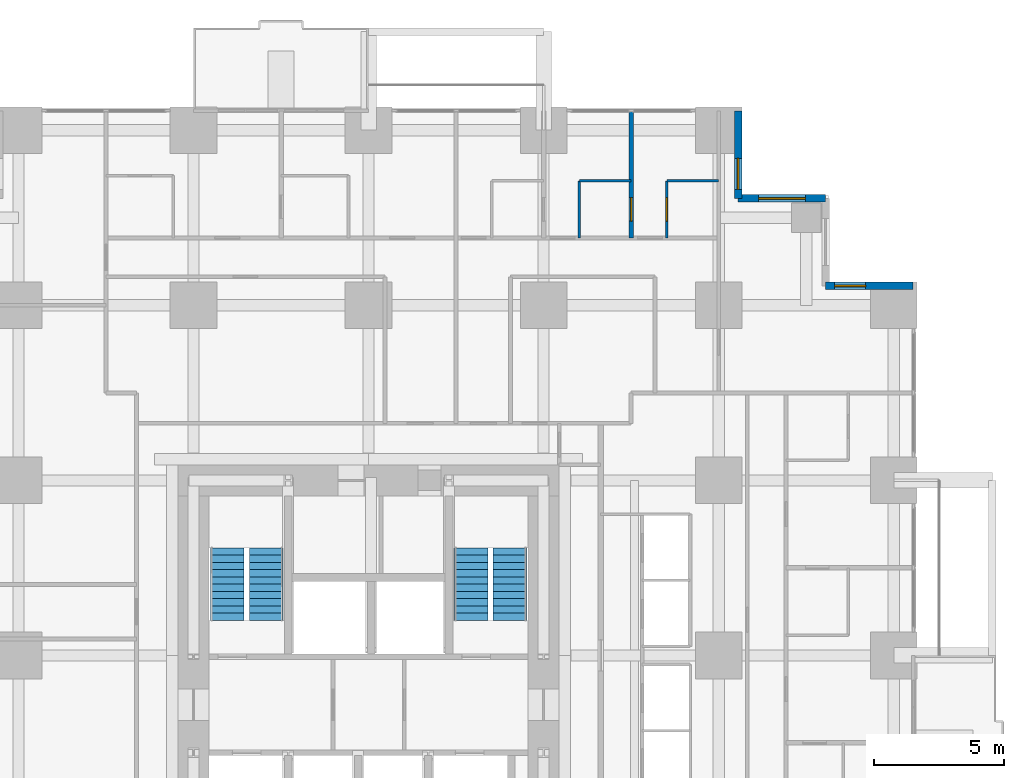
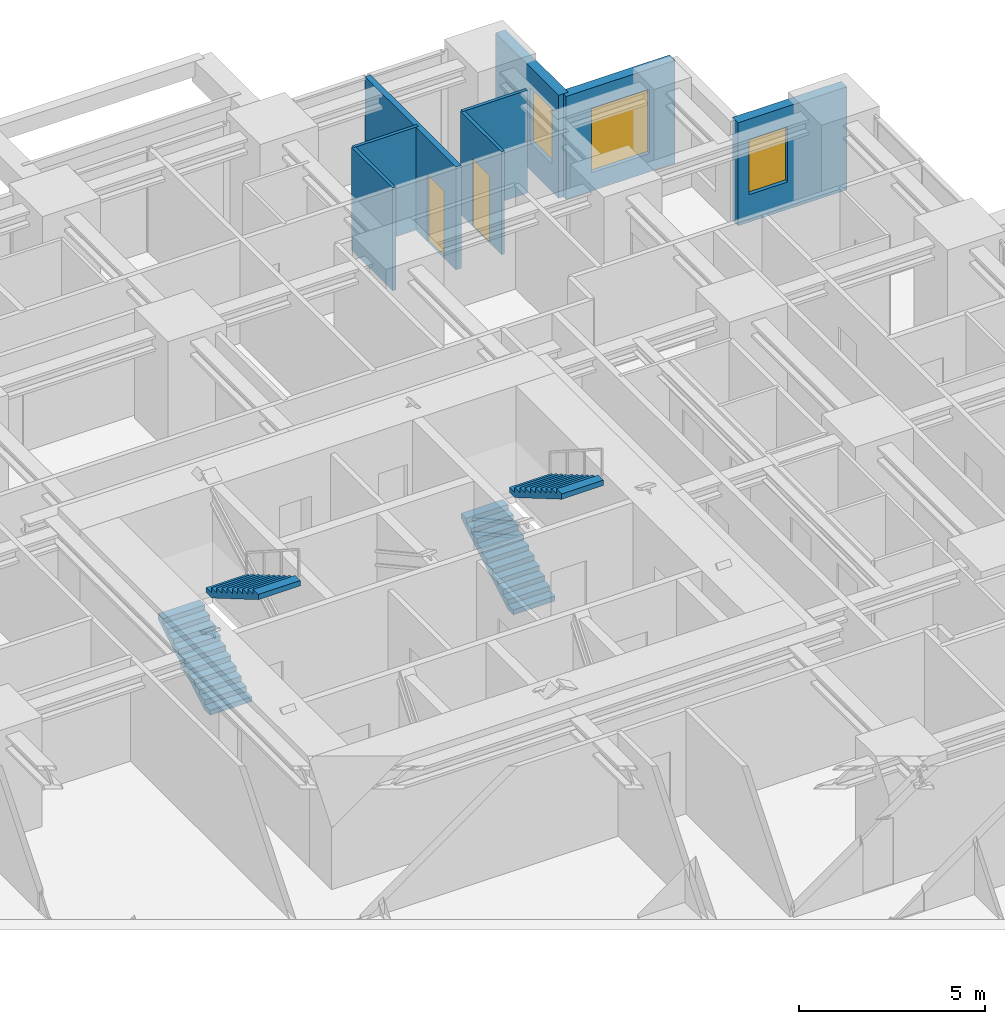
# One storey, part 13 of 14: 8 walls, 4 stair flights, 3 windows, 2 doors, 5 openings, 2 elements without a shape of their own.
"""IFC4 building model written with IfcOpenShell, lengths in metres."""

from ifc_helpers import new_model, si_unit, direction, frame, frame_2d, origin, place, context, subcontext, project, spatial, polyline, rectangle, outline, extrude, material, layer, layer_set, type_object, element, fill, aggregate, save


model = new_model("IFC4")

# Units and contexts
model_context = context("Model", 3, precision=1e-05, world=origin(), true_north=direction((0.0, 1.0)))
body_context = subcontext(model_context, "Body", "Model", "MODEL_VIEW")
ifc_project = project(units=[si_unit("LENGTHUNIT", "METRE"), si_unit("AREAUNIT", "SQUARE_METRE"), si_unit("VOLUMEUNIT", "CUBIC_METRE"), si_unit("PLANEANGLEUNIT", "RADIAN"), si_unit("MASSUNIT", "GRAM", prefix="KILO")], contexts=[model_context])

# Site, building, storey
site_placement = place(None, origin())
site = spatial("IfcSite", under=ifc_project, at=site_placement, CompositionType="ELEMENT")
building_placement = place(site_placement, origin())
building = spatial("IfcBuilding", under=site, at=building_placement, Name="Nyansa Garden Tower", CompositionType="ELEMENT")
storey_placement = place(building_placement, frame((0.0, 0.0, 54.0)))
storey = spatial("IfcBuildingStorey", under=building, at=storey_placement, Name="L14", CompositionType="ELEMENT", Elevation=54.0)

# Wall, opening, door
ifc_material_1 = material(Name="Dense blockwork, plastered both sides, 55 dB", Category="masonry")
ifc_layer_1 = layer(ifc_material_1, 0.175048828125)
ifc_layer_set_1 = layer_set([ifc_layer_1], Name="Acoustic party wall PW175")
wall_type_1 = type_object("IfcWallType", Name="Acoustic party wall PW175", PredefinedType="PARTITIONING", material=ifc_layer_set_1)
wall_1_placement = place(storey_placement, frame((30.375, 36.35009765625, 0.0), z_axis=(0.0, 0.0, 1.0), x_axis=(0.0, 1.0, 0.0)))
wall_1 = element("IfcWall", 1, at=wall_1_placement, inside=storey, type_object=wall_type_1, Name="Party wall", PredefinedType="PARTITIONING", context=body_context, shape_type="SweptSolid", body=[
    extrude(rectangle(XDim=4.8837890625, YDim=0.175048828125, at=frame_2d((2.44189453125, 0.0))), origin(), (0.0, 0.0, 1.0), 3.375),
])
opening_1_placement = place(wall_1_placement, frame((0.64990234375, 0.0, 0.0)))
opening_1 = element("IfcOpeningElement", 2, at=opening_1_placement, cuts=wall_1, Name="Opening D02", PredefinedType="OPENING", context=body_context, shape_type="SweptSolid", body=[
    extrude(rectangle(XDim=0.89990234375, YDim=2.199951171875, at=frame_2d((0.449951171875, 1.10009765625))), frame((0.0, 0.097412109375, 0.0), z_axis=(0.0, -1.0, 0.0), x_axis=(1.0, 0.0, 0.0)), (0.0, 0.0, 1.0), 0.195068359375),
])
ifc_material_2 = material(Name="Timber flush door", Category="wood")
door_type = type_object("IfcDoorType", Name="En-suite door D02 900x2200", OperationType="SINGLE_SWING_RIGHT", PredefinedType="DOOR", material=ifc_material_2)
door_1_placement = place(opening_1_placement, origin())
door_1 = element("IfcDoor", 3, at=door_1_placement, inside=storey, type_object=door_type, Name="Door L14-046", OperationType="SINGLE_SWING_RIGHT", OverallHeight=2.199951171875, OverallWidth=0.89990234375, PredefinedType="DOOR", context=body_context, shape_type="SweptSolid", body=[
    extrude(rectangle(XDim=0.89990234375, YDim=2.199951171875, at=frame_2d((0.449951171875, 1.10009765625))), frame((0.0, 0.02490234375, 0.0), z_axis=(0.0, -1.0, 0.0), x_axis=(1.0, 0.0, 0.0)), (0.0, 0.0, 1.0), 0.050048828125),
])
fill(opening_1, door_1)

# Wall, opening, window
ifc_material_3 = material(Name="Turquoise glazed tile on concrete blockwork", Category="masonry")
ifc_layer_2 = layer(ifc_material_3, 0.300048828125)
ifc_layer_set_2 = layer_set([ifc_layer_2], Name="Tiled corner wall TW300")
wall_type_2 = type_object("IfcWallType", Name="Tiled corner wall TW300", PredefinedType="SOLIDWALL", material=ifc_layer_set_2)
wall_2_placement = place(storey_placement, frame((41.25, 34.5, 0.0), z_axis=(0.0, 0.0, 1.0), x_axis=(-1.0, 0.0, 0.0)))
wall_2 = element("IfcWall", 4, at=wall_2_placement, inside=storey, type_object=wall_type_2, Name="Tiled corner wall L14", PredefinedType="SOLIDWALL", context=body_context, shape_type="SweptSolid", body=[
    extrude(rectangle(XDim=3.375, YDim=0.300048828125, at=frame_2d((1.6875, 0.0))), origin(), (0.0, 0.0, 1.0), 3.375),
])
opening_2_placement = place(wall_2_placement, frame((1.83251953125, 0.0, 0.89990234375)))
opening_2 = element("IfcOpeningElement", 5, at=opening_2_placement, cuts=wall_2, Name="Opening W4", PredefinedType="OPENING", context=body_context, shape_type="SweptSolid", body=[
    extrude(rectangle(XDim=1.199951171875, YDim=1.800048828125, at=frame_2d((0.60009765625, 0.89990234375))), frame((0.0, 0.159912109375, 0.0), z_axis=(0.0, -1.0, 0.0), x_axis=(1.0, 0.0, 0.0)), (0.0, 0.0, 1.0), 0.320068359375),
])
ifc_material_4 = material(Name="Black aluminium frame, dark tinted double glazing", Category="aluminium")
window_type_1 = type_object("IfcWindowType", Name="Window W4 1200x1800", PartitioningType="SINGLE_PANEL", PredefinedType="WINDOW", material=ifc_material_4)
window_1_placement = place(opening_2_placement, origin())
window_1 = element("IfcWindow", 6, at=window_1_placement, inside=storey, type_object=window_type_1, Name="Corner window L14", OverallHeight=1.800048828125, OverallWidth=1.199951171875, PartitioningType="SINGLE_PANEL", PredefinedType="WINDOW", context=body_context, shape_type="SweptSolid", body=[
    extrude(rectangle(XDim=1.199951171875, YDim=1.800048828125, at=frame_2d((0.60009765625, 0.89990234375))), frame((0.0, 0.030029296875, 0.0), z_axis=(0.0, -1.0, 0.0), x_axis=(1.0, 0.0, 0.0)), (0.0, 0.0, 1.0), 0.06005859375),
])
fill(opening_2, window_1)

wall_3_placement = place(storey_placement, frame((37.875, 37.875, 0.0), z_axis=(0.0, 0.0, 1.0), x_axis=(-1.0, 0.0, 0.0)))
wall_3 = element("IfcWall", 7, at=wall_3_placement, inside=storey, type_object=wall_type_2, Name="Tiled corner wall L14", PredefinedType="SOLIDWALL", context=body_context, shape_type="SweptSolid", body=[
    extrude(rectangle(XDim=3.375, YDim=0.300048828125, at=frame_2d((1.6875, 0.0))), origin(), (0.0, 0.0, 1.0), 3.375),
])
opening_3_placement = place(wall_3_placement, frame((0.78759765625, 0.0, 0.60009765625)))
opening_3 = element("IfcOpeningElement", 8, at=opening_3_placement, cuts=wall_3, Name="Opening W2", PredefinedType="OPENING", context=body_context, shape_type="SweptSolid", body=[
    extrude(rectangle(XDim=1.800048828125, YDim=2.10009765625, at=frame_2d((0.89990234375, 1.050048828125))), frame((0.0, 0.159912109375, 0.0), z_axis=(0.0, -1.0, 0.0), x_axis=(1.0, 0.0, 0.0)), (0.0, 0.0, 1.0), 0.320068359375),
])
ifc_material_5 = material(Name="Black aluminium frame, dark tinted double glazing", Category="aluminium")
window_type_2 = type_object("IfcWindowType", Name="Window W2 1800x2100", PartitioningType="SINGLE_PANEL", PredefinedType="WINDOW", material=ifc_material_5)
window_2_placement = place(opening_3_placement, origin())
window_2 = element("IfcWindow", 9, at=window_2_placement, inside=storey, type_object=window_type_2, Name="Corner window L14", OverallHeight=2.10009765625, OverallWidth=1.800048828125, PartitioningType="SINGLE_PANEL", PredefinedType="WINDOW", context=body_context, shape_type="SweptSolid", body=[
    extrude(rectangle(XDim=1.800048828125, YDim=2.10009765625, at=frame_2d((0.89990234375, 1.050048828125))), frame((0.0, 0.030029296875, 0.0), z_axis=(0.0, -1.0, 0.0), x_axis=(1.0, 0.0, 0.0)), (0.0, 0.0, 1.0), 0.06005859375),
])
fill(opening_3, window_2)

wall_4_placement = place(storey_placement, frame((34.5, 37.875, 0.0), z_axis=(0.0, 0.0, 1.0), x_axis=(0.0, 1.0, 0.0)))
wall_4 = element("IfcWall", 10, at=wall_4_placement, inside=storey, type_object=wall_type_2, Name="Tiled corner wall L14", PredefinedType="SOLIDWALL", context=body_context, shape_type="SweptSolid", body=[
    extrude(rectangle(XDim=3.375, YDim=0.300048828125, at=frame_2d((1.6875, 0.0))), origin(), (0.0, 0.0, 1.0), 3.375),
])
opening_4_placement = place(wall_4_placement, frame((0.342529296875, 0.0, 0.89990234375)))
opening_4 = element("IfcOpeningElement", 11, at=opening_4_placement, cuts=wall_4, Name="Opening W4", PredefinedType="OPENING", context=body_context, shape_type="SweptSolid", body=[
    extrude(rectangle(XDim=1.199951171875, YDim=1.800048828125, at=frame_2d((0.60009765625, 0.89990234375))), frame((0.0, 0.159912109375, 0.0), z_axis=(0.0, -1.0, 0.0), x_axis=(1.0, 0.0, 0.0)), (0.0, 0.0, 1.0), 0.320068359375),
])
window_3_placement = place(opening_4_placement, origin())
window_3 = element("IfcWindow", 12, at=window_3_placement, inside=storey, type_object=window_type_1, Name="Corner window L14", OverallHeight=1.800048828125, OverallWidth=1.199951171875, PartitioningType="SINGLE_PANEL", PredefinedType="WINDOW", context=body_context, shape_type="SweptSolid", body=[
    extrude(rectangle(XDim=1.199951171875, YDim=1.800048828125, at=frame_2d((0.60009765625, 0.89990234375))), frame((0.0, 0.030029296875, 0.0), z_axis=(0.0, -1.0, 0.0), x_axis=(1.0, 0.0, 0.0)), (0.0, 0.0, 1.0), 0.06005859375),
])
fill(opening_4, window_3)

# Walls
ifc_material_6 = material(Name="Moisture resistant board on steel studs, tiled", Category="steel")
ifc_layer_3 = layer(ifc_material_6, 0.10009765625)
ifc_layer_set_3 = layer_set([ifc_layer_3], Name="Wet wall PW100")
wall_type_3 = type_object("IfcWallType", Name="Wet wall PW100", PredefinedType="PARTITIONING", material=ifc_layer_set_3)
wall_5_placement = place(storey_placement, frame((28.375, 36.35009765625, 0.0), z_axis=(0.0, 0.0, 1.0), x_axis=(0.0, 1.0, 0.0)))
element("IfcWall", 13, at=wall_5_placement, inside=storey, type_object=wall_type_3, Name="Wet wall", PredefinedType="PARTITIONING", context=body_context, shape_type="SweptSolid", body=[
    extrude(rectangle(XDim=2.199951171875, YDim=0.10009765625, at=frame_2d((1.10009765625, 0.0))), origin(), (0.0, 0.0, 1.0), 3.375),
])
wall_6_placement = place(storey_placement, frame((28.375, 38.550048828125, 0.0), z_axis=(0.0, 0.0, 1.0), x_axis=(1.0, 0.0, 0.0)))
element("IfcWall", 14, at=wall_6_placement, inside=storey, type_object=wall_type_3, Name="Wet wall", PredefinedType="PARTITIONING", context=body_context, shape_type="SweptSolid", body=[
    extrude(rectangle(XDim=2.0, YDim=0.10009765625, at=frame_2d((1.0, 0.0))), origin(), (0.0, 0.0, 1.0), 3.375),
])

# Wall, opening, door
wall_7_placement = place(storey_placement, frame((31.75, 36.35009765625, 0.0), z_axis=(0.0, 0.0, 1.0), x_axis=(0.0, 1.0, 0.0)))
wall_7 = element("IfcWall", 15, at=wall_7_placement, inside=storey, type_object=wall_type_3, Name="Wet wall", PredefinedType="PARTITIONING", context=body_context, shape_type="SweptSolid", body=[
    extrude(rectangle(XDim=2.199951171875, YDim=0.10009765625, at=frame_2d((1.10009765625, 0.0))), origin(), (0.0, 0.0, 1.0), 3.375),
])
opening_5_placement = place(wall_7_placement, frame((0.64990234375, 0.0, 0.0)))
opening_5 = element("IfcOpeningElement", 16, at=opening_5_placement, cuts=wall_7, Name="Opening D02", PredefinedType="OPENING", context=body_context, shape_type="SweptSolid", body=[
    extrude(rectangle(XDim=0.89990234375, YDim=2.199951171875, at=frame_2d((0.449951171875, 1.10009765625))), frame((0.0, 0.06005859375, 0.0), z_axis=(0.0, -1.0, 0.0), x_axis=(1.0, 0.0, 0.0)), (0.0, 0.0, 1.0), 0.1201171875),
])
door_2_placement = place(opening_5_placement, origin())
door_2 = element("IfcDoor", 17, at=door_2_placement, inside=storey, type_object=door_type, Name="Door L14-044", OperationType="SINGLE_SWING_RIGHT", OverallHeight=2.199951171875, OverallWidth=0.89990234375, PredefinedType="DOOR", context=body_context, shape_type="SweptSolid", body=[
    extrude(rectangle(XDim=0.89990234375, YDim=2.199951171875, at=frame_2d((0.449951171875, 1.10009765625))), frame((0.0, 0.02490234375, 0.0), z_axis=(0.0, -1.0, 0.0), x_axis=(1.0, 0.0, 0.0)), (0.0, 0.0, 1.0), 0.050048828125),
])
fill(opening_5, door_2)

# Wall
wall_8_placement = place(storey_placement, frame((31.75, 38.550048828125, 0.0), z_axis=(0.0, 0.0, 1.0), x_axis=(1.0, 0.0, 0.0)))
element("IfcWall", 18, at=wall_8_placement, inside=storey, type_object=wall_type_3, Name="Wet wall", PredefinedType="PARTITIONING", context=body_context, shape_type="SweptSolid", body=[
    extrude(rectangle(XDim=2.0, YDim=0.10009765625, at=frame_2d((1.0, 0.0))), origin(), (0.0, 0.0, 1.0), 3.375),
])

# Stair, stair flights
ifc_material_7 = material(Name="Precast concrete C40/50", Category="concrete")
stair_type_1 = type_object("IfcStairType", Name="Stair S1 164x280", PredefinedType="HALF_TURN_STAIR", material=ifc_material_7)
stair_1_placement = place(storey_placement, origin())
stair_1 = element("IfcStair", 19, at=stair_1_placement, inside=storey, type_object=stair_type_1, Name="Stair S1 L14", PredefinedType="HALF_TURN_STAIR")
ifc_material_8 = material(Name="Precast concrete C40/50", Category="concrete")
stair_flight_type_1 = type_object("IfcStairFlightType", Name="Stair flight S1 164x280x11", PredefinedType="STRAIGHT", material=ifc_material_8)
stair_flight_1_placement = place(storey_placement, frame((14.800048828125, 21.60009765625, 0.0), z_axis=(0.0, 0.0, 1.0), x_axis=(0.0, 1.0, 0.0)))
stair_flight_1 = element("IfcStairFlight", 20, at=stair_flight_1_placement, type_object=stair_flight_type_1, Name="S1 flight 1", NumberOfRisers=11, NumberOfTreads=10, PredefinedType="STRAIGHT", RiserHeight=0.163636364, TreadLength=0.28, context=body_context, shape_type="SweptSolid", body=[
    extrude(outline(polyline([(0.0, 0.0), (0.0, 0.16357421875), (0.280029296875, 0.16357421875), (0.280029296875, 0.327392578125), (0.56005859375, 0.327392578125), (0.56005859375, 0.490966796875), (0.840087890625, 0.490966796875), (0.840087890625, 0.654541015625), (1.1201171875, 0.654541015625), (1.1201171875, 0.818115234375), (1.39990234375, 0.818115234375), (1.39990234375, 0.98193359375), (1.679931640625, 0.98193359375), (1.679931640625, 1.1455078125), (1.9599609375, 1.1455078125), (1.9599609375, 1.30908203125), (2.239990234375, 1.30908203125), (2.239990234375, 1.47265625), (2.52001953125, 1.47265625), (2.52001953125, 1.636474609375), (2.800048828125, 1.636474609375), (2.800048828125, 1.800048828125), (2.800048828125, 1.462646484375), (0.297119140625, 0.0), (0.0, 0.0)])), frame((0.0, 0.64990234375, 0.0), z_axis=(0.0, -1.0, 0.0), x_axis=(1.0, 0.0, 0.0)), (0.0, 0.0, 1.0), 1.300048828125),
])
stair_flight_2_placement = place(storey_placement, frame((16.300048828125, 24.39990234375, 1.800048828125), z_axis=(0.0, 0.0, 1.0), x_axis=(0.0, -1.0, 0.0)))
stair_flight_2 = element("IfcStairFlight", 21, at=stair_flight_2_placement, type_object=stair_flight_type_1, Name="S1 flight 2", NumberOfRisers=11, NumberOfTreads=10, PredefinedType="STRAIGHT", RiserHeight=0.163636364, TreadLength=0.28, context=body_context, shape_type="SweptSolid", body=[
    extrude(outline(polyline([(0.0, 0.0), (0.0, 0.16357421875), (0.280029296875, 0.16357421875), (0.280029296875, 0.327392578125), (0.56005859375, 0.327392578125), (0.56005859375, 0.490966796875), (0.840087890625, 0.490966796875), (0.840087890625, 0.654541015625), (1.1201171875, 0.654541015625), (1.1201171875, 0.818115234375), (1.39990234375, 0.818115234375), (1.39990234375, 0.98193359375), (1.679931640625, 0.98193359375), (1.679931640625, 1.1455078125), (1.9599609375, 1.1455078125), (1.9599609375, 1.30908203125), (2.239990234375, 1.30908203125), (2.239990234375, 1.47265625), (2.52001953125, 1.47265625), (2.52001953125, 1.636474609375), (2.800048828125, 1.636474609375), (2.800048828125, 1.800048828125), (2.800048828125, 1.462646484375), (0.297119140625, 0.0), (0.0, 0.0)])), frame((0.0, 0.64990234375, 0.0), z_axis=(0.0, -1.0, 0.0), x_axis=(1.0, 0.0, 0.0)), (0.0, 0.0, 1.0), 1.300048828125),
])
aggregate(stair_1, [stair_flight_1, stair_flight_2])

ifc_material_9 = material(Name="Precast concrete C40/50", Category="concrete")
stair_type_2 = type_object("IfcStairType", Name="Stair S2 164x280", PredefinedType="HALF_TURN_STAIR", material=ifc_material_9)
stair_2_placement = place(storey_placement, origin())
stair_2 = element("IfcStair", 22, at=stair_2_placement, inside=storey, type_object=stair_type_2, Name="Stair S2 L14", PredefinedType="HALF_TURN_STAIR")
ifc_material_10 = material(Name="Precast concrete C40/50", Category="concrete")
stair_flight_type_2 = type_object("IfcStairFlightType", Name="Stair flight S2 164x280x11", PredefinedType="STRAIGHT", material=ifc_material_10)
stair_flight_3_placement = place(storey_placement, frame((24.199951171875, 21.60009765625, 0.0), z_axis=(0.0, 0.0, 1.0), x_axis=(0.0, 1.0, 0.0)))
stair_flight_3 = element("IfcStairFlight", 23, at=stair_flight_3_placement, type_object=stair_flight_type_2, Name="S2 flight 1", NumberOfRisers=11, NumberOfTreads=10, PredefinedType="STRAIGHT", RiserHeight=0.163636364, TreadLength=0.28, context=body_context, shape_type="SweptSolid", body=[
    extrude(outline(polyline([(0.0, 0.0), (0.0, 0.16357421875), (0.280029296875, 0.16357421875), (0.280029296875, 0.327392578125), (0.56005859375, 0.327392578125), (0.56005859375, 0.490966796875), (0.840087890625, 0.490966796875), (0.840087890625, 0.654541015625), (1.1201171875, 0.654541015625), (1.1201171875, 0.818115234375), (1.39990234375, 0.818115234375), (1.39990234375, 0.98193359375), (1.679931640625, 0.98193359375), (1.679931640625, 1.1455078125), (1.9599609375, 1.1455078125), (1.9599609375, 1.30908203125), (2.239990234375, 1.30908203125), (2.239990234375, 1.47265625), (2.52001953125, 1.47265625), (2.52001953125, 1.636474609375), (2.800048828125, 1.636474609375), (2.800048828125, 1.800048828125), (2.800048828125, 1.462646484375), (0.297119140625, 0.0), (0.0, 0.0)])), frame((0.0, 0.64990234375, 0.0), z_axis=(0.0, -1.0, 0.0), x_axis=(1.0, 0.0, 0.0)), (0.0, 0.0, 1.0), 1.300048828125),
])
stair_flight_4_placement = place(storey_placement, frame((25.699951171875, 24.39990234375, 1.800048828125), z_axis=(0.0, 0.0, 1.0), x_axis=(0.0, -1.0, 0.0)))
stair_flight_4 = element("IfcStairFlight", 24, at=stair_flight_4_placement, type_object=stair_flight_type_2, Name="S2 flight 2", NumberOfRisers=11, NumberOfTreads=10, PredefinedType="STRAIGHT", RiserHeight=0.163636364, TreadLength=0.28, context=body_context, shape_type="SweptSolid", body=[
    extrude(outline(polyline([(0.0, 0.0), (0.0, 0.16357421875), (0.280029296875, 0.16357421875), (0.280029296875, 0.327392578125), (0.56005859375, 0.327392578125), (0.56005859375, 0.490966796875), (0.840087890625, 0.490966796875), (0.840087890625, 0.654541015625), (1.1201171875, 0.654541015625), (1.1201171875, 0.818115234375), (1.39990234375, 0.818115234375), (1.39990234375, 0.98193359375), (1.679931640625, 0.98193359375), (1.679931640625, 1.1455078125), (1.9599609375, 1.1455078125), (1.9599609375, 1.30908203125), (2.239990234375, 1.30908203125), (2.239990234375, 1.47265625), (2.52001953125, 1.47265625), (2.52001953125, 1.636474609375), (2.800048828125, 1.636474609375), (2.800048828125, 1.800048828125), (2.800048828125, 1.462646484375), (0.297119140625, 0.0), (0.0, 0.0)])), frame((0.0, 0.64990234375, 0.0), z_axis=(0.0, -1.0, 0.0), x_axis=(1.0, 0.0, 0.0)), (0.0, 0.0, 1.0), 1.300048828125),
])
aggregate(stair_2, [stair_flight_3, stair_flight_4])

save(model, "model.ifc")
